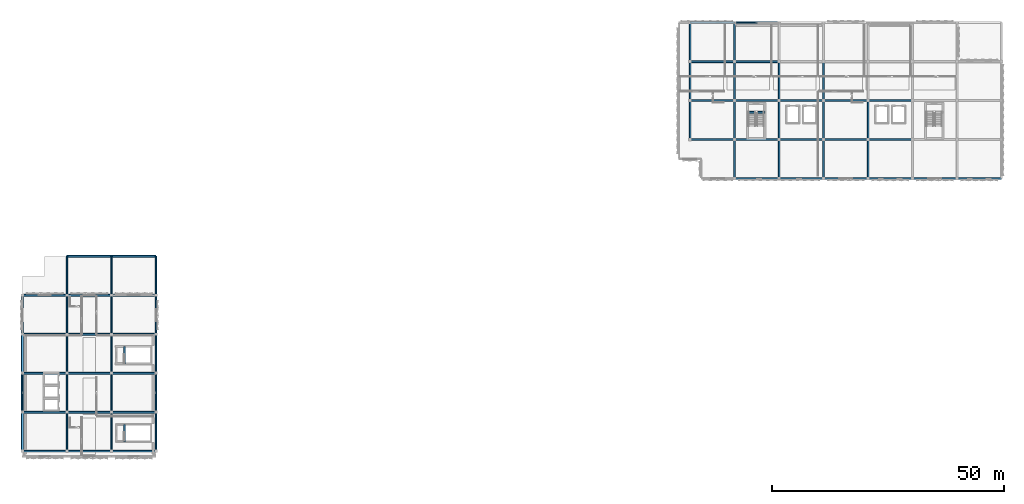
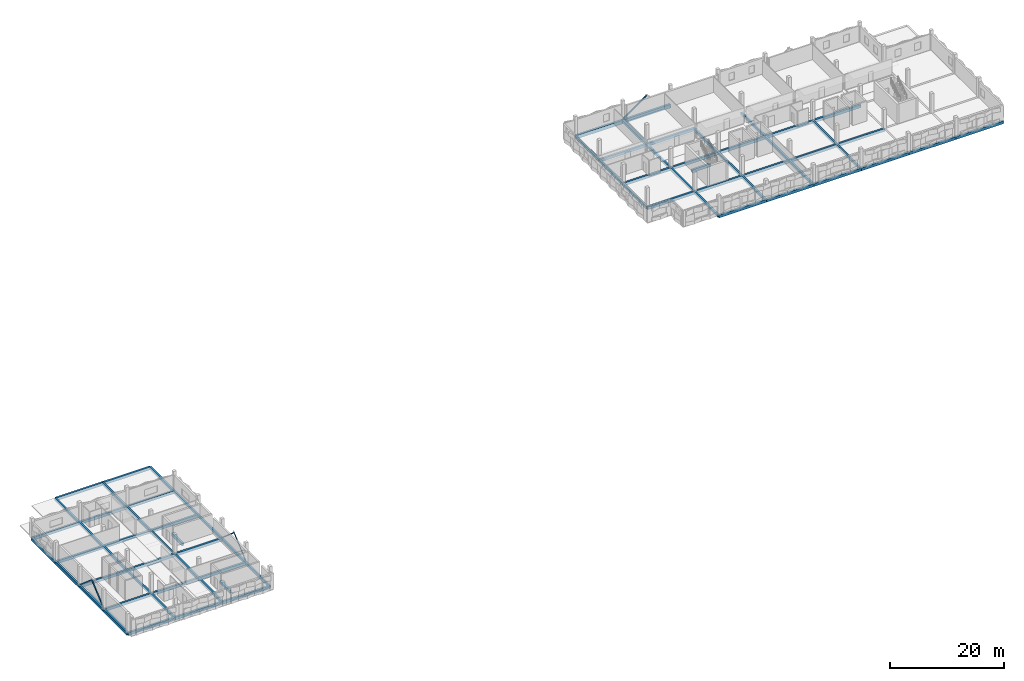
# One storey, part 3 of 18: 74 beams, 5 members.
"""IFC4 building model written with IfcOpenShell, lengths in metres."""

import ifcopenshell
import ifcopenshell.guid

model = None  # the IFC model being written
_history = None  # IfcOwnerHistory: only IFC2X3 demands one
_inside = {}  # id of a spatial element -> (the spatial element, [elements in it])
_under = {}  # id of a project, library or spatial element -> (it, [spatial elements below it])
_declared = {}  # id of a project -> (the project, [libraries it declares])
_typed = {}  # id of a type object -> (the type object, [elements of that type])
_made_of = {}  # id of a material, layer set ... -> (it, [elements and type objects made of it])


def new_model(schema):
    """Start an empty IFC model of exactly this schema.

    Asked for "IFC4X3", IfcOpenShell would pick the latest addendum, in which some entities
    have other attributes; the version numbers below select the first issue.
    IFC2X3 requires an IfcOwnerHistory on every rooted entity: one is made here for all.
    """
    global model, _history
    if schema == "IFC4X3":
        model = ifcopenshell.file(schema_version=(4, 3, 0, 0))
    else:
        model = ifcopenshell.file(schema=schema)
    _inside.clear()
    _under.clear()
    _declared.clear()
    _typed.clear()
    _made_of.clear()
    _history = None
    if model.schema == "IFC2X3":
        org = make("IfcOrganization", Name="unknown")
        user = make(
            "IfcPersonAndOrganization",
            ThePerson=make("IfcPerson", FamilyName="unknown"),
            TheOrganization=org,
        )
        app = make(
            "IfcApplication",
            ApplicationDeveloper=org,
            Version="unknown",
            ApplicationFullName="unknown",
            ApplicationIdentifier="unknown",
        )
        _history = make(
            "IfcOwnerHistory",
            OwningUser=user,
            OwningApplication=app,
            ChangeAction="ADDED",
            CreationDate=0,
        )
    return model


def make(cls, **values):
    """One entity of the class cls with the attributes given. An attribute that is None is left unset."""
    return model.create_entity(
        cls, **{name: value for name, value in values.items() if value is not None}
    )


def rooted(cls, **values):
    """An entity with a GlobalId (a new one), such as an element, a storey or a relation."""
    return make(cls, GlobalId=ifcopenshell.guid.new(), OwnerHistory=_history, **values)


def si_unit(unit_type, name, prefix=None):
    """IfcSIUnit, for example si_unit("LENGTHUNIT", "METRE", prefix="MILLI")."""
    return make("IfcSIUnit", UnitType=unit_type, Prefix=prefix, Name=name)


def assignment(units):
    """IfcUnitAssignment: the units of a project."""
    return None if units is None else make("IfcUnitAssignment", Units=units)


def point(xyz):
    """IfcCartesianPoint."""
    return None if xyz is None else make("IfcCartesianPoint", Coordinates=xyz)


def direction(xyz):
    """IfcDirection."""
    return None if xyz is None else make("IfcDirection", DirectionRatios=xyz)


def frame(location, z_axis=None, x_axis=None):
    """IfcAxis2Placement3D, a coordinate frame: its origin and axes. An axis left out is left unset."""
    return make(
        "IfcAxis2Placement3D",
        Location=point(location),
        Axis=direction(z_axis),
        RefDirection=direction(x_axis),
    )


def frame_2d(location, x_axis=None):
    """IfcAxis2Placement2D, a coordinate frame in the plane: its origin and x axis."""
    return make(
        "IfcAxis2Placement2D", Location=point(location), RefDirection=direction(x_axis)
    )


def origin():
    """The frame at (0, 0, 0) with its axes left unset."""
    return frame((0.0, 0.0, 0.0))


def origin_2d():
    """The frame at (0, 0) in the plane with its x axis left unset."""
    return frame_2d((0.0, 0.0))


def place(relative_to, where):
    """IfcLocalPlacement: puts the frame where relative to a parent placement (None: the world)."""
    return make(
        "IfcLocalPlacement", PlacementRelTo=relative_to, RelativePlacement=where
    )


def context(
    kind, dimensions, precision=None, world=None, true_north=None, identifier=None
):
    """IfcGeometricRepresentationContext, for example the 3D "Model" context."""
    return make(
        "IfcGeometricRepresentationContext",
        ContextIdentifier=identifier,
        ContextType=kind,
        CoordinateSpaceDimension=dimensions,
        Precision=precision,
        WorldCoordinateSystem=world,
        TrueNorth=true_north,
    )


def subcontext(parent, identifier, kind, view, scale=None):
    """IfcGeometricRepresentationSubContext, for example "Body" below "Model"."""
    return make(
        "IfcGeometricRepresentationSubContext",
        ContextIdentifier=identifier,
        ContextType=kind,
        ParentContext=parent,
        TargetScale=scale,
        TargetView=view,
    )


def project(units=None, contexts=None):
    """IfcProject with its units and contexts."""
    return rooted(
        "IfcProject",
        Name="project",
        RepresentationContexts=contexts,
        UnitsInContext=assignment(units),
    )


def spatial(cls, under=None, at=None, **own):
    """A site, building, storey or space (cls), placed at a placement, below another one or the project."""
    s = rooted(cls, ObjectPlacement=at, **own)
    if under is not None:
        _under.setdefault(under.id(), (under, []))[1].append(s)
    return s


def profile(cls, at=None, kind="AREA", **sizes):
    """A parametric profile (cls). Its sizes go by their IFC names, for example OverallWidth=200.0."""
    return make(cls, ProfileType=kind, Position=at, **sizes)


def rectangle(**sizes):
    """IfcRectangleProfileDef."""
    return profile("IfcRectangleProfileDef", **sizes)


def hollow_rectangle(**sizes):
    """IfcRectangleHollowProfileDef."""
    return profile("IfcRectangleHollowProfileDef", **sizes)


def extrude(swept, where, along, depth):
    """IfcExtrudedAreaSolid: the profile swept, set in the frame where, extruded along a direction by depth."""
    return make(
        "IfcExtrudedAreaSolid",
        SweptArea=swept,
        Position=where,
        ExtrudedDirection=direction(along),
        Depth=depth,
    )


def shape(context_of_items, identifier, shape_type, items):
    """IfcShapeRepresentation: the items that make up one representation, for example the "Body"."""
    return make(
        "IfcShapeRepresentation",
        ContextOfItems=context_of_items,
        RepresentationIdentifier=identifier,
        RepresentationType=shape_type,
        Items=items,
    )


def material(Name=None, Category=None):
    """IfcMaterial."""
    return make("IfcMaterial", Name=Name, Category=Category)


def material_profile(
    of_material, cross_section, Name=None, Category=None, Priority=None
):
    """IfcMaterialProfile: a cross section and its material."""
    return make(
        "IfcMaterialProfile",
        Name=Name,
        Material=of_material,
        Profile=cross_section,
        Priority=Priority,
        Category=Category,
    )


def profile_set(profiles, Name=None, composite=None):
    """IfcMaterialProfileSet."""
    return make(
        "IfcMaterialProfileSet",
        Name=Name,
        MaterialProfiles=profiles,
        CompositeProfile=composite,
    )


def made_of(thing, what):
    """Note that an element or type object is made of a material, layer set ...; save() writes the relation."""
    if what is not None:
        _made_of.setdefault(what.id(), (what, []))[1].append(thing)
    return thing


def type_object(cls, material=None, **own):
    """A type object (cls), such as IfcWallType, which elements share."""
    return made_of(rooted(cls, **own), material)


def element(
    cls,
    number,
    at=None,
    inside=None,
    cuts=None,
    type_object=None,
    material=None,
    context=None,
    identifier="Body",
    shape_type=None,
    held_by="IfcProductDefinitionShape",
    body=None,
    shapes=None,
    **own,
):
    """One element of the class cls, such as IfcWall. Its Tag is "e" and its number.

    at: its placement. inside: the storey or other place that contains it. cuts: it is an
    opening in that element (IfcRelVoidsElement). A single representation is given by context,
    identifier, shape_type and body (its items); several are given by shapes. held_by: the class
    of the entity that holds the representations. save() writes the other relations.
    """
    e = rooted(cls, Tag="e%d" % number, ObjectPlacement=at, **own)
    if body is not None:
        shapes = [shape(context, identifier, shape_type, body)]
    if shapes is not None:
        e.Representation = make(held_by, Representations=shapes)
    if inside is not None:
        _inside.setdefault(inside.id(), (inside, []))[1].append(e)
    if cuts is not None:
        rooted(
            "IfcRelVoidsElement", RelatingBuildingElement=cuts, RelatedOpeningElement=e
        )
    if type_object is not None:
        _typed.setdefault(type_object.id(), (type_object, []))[1].append(e)
    return made_of(e, material)


def aggregate(whole, parts):
    """IfcRelAggregates: a whole, such as a stair, and the parts it consists of."""
    return rooted("IfcRelAggregates", RelatingObject=whole, RelatedObjects=parts)


def save(model, path):
    """Write the relations noted so far, then the file.

    IfcRelAggregates (storeys below a building ...), IfcRelContainedInSpatialStructure (elements
    in a storey), IfcRelDefinesByType, IfcRelAssociatesMaterial and IfcRelDeclares: one each for
    every whole, place, type object, material and project.
    """
    for whole, parts in _under.values():
        aggregate(whole, parts)
    for where, things in _inside.values():
        rooted(
            "IfcRelContainedInSpatialStructure",
            RelatedElements=things,
            RelatingStructure=where,
        )
    for kind, things in _typed.values():
        rooted("IfcRelDefinesByType", RelatedObjects=things, RelatingType=kind)
    for what, things in _made_of.values():
        rooted("IfcRelAssociatesMaterial", RelatedObjects=things, RelatingMaterial=what)
    for by, libraries in _declared.values():
        rooted("IfcRelDeclares", RelatingContext=by, RelatedDefinitions=libraries)
    model.write(path)


model = new_model("IFC4")

# Units and contexts
model_context = context("Model", 3, precision=1e-05, world=origin(), true_north=direction((0.0, 1.0)))
body_context = subcontext(model_context, "Body", "Model", "MODEL_VIEW")
ifc_project = project(units=[si_unit("LENGTHUNIT", "METRE"), si_unit("AREAUNIT", "SQUARE_METRE"), si_unit("VOLUMEUNIT", "CUBIC_METRE"), si_unit("PLANEANGLEUNIT", "RADIAN"), si_unit("MASSUNIT", "GRAM", prefix="KILO")], contexts=[model_context])

# Site, building, storey
site_placement = place(None, origin())
site = spatial("IfcSite", under=ifc_project, at=site_placement, CompositionType="ELEMENT")
building_placement = place(site_placement, origin())
building = spatial("IfcBuilding", under=site, at=building_placement, Name="Oolite Switchyard Hospital", CompositionType="ELEMENT")
storey_placement = place(building_placement, frame((0.0, 0.0, 26.199951171875)))
storey = spatial("IfcBuildingStorey", under=building, at=storey_placement, Name="L06", CompositionType="ELEMENT", Elevation=26.199951171875)

# Beams
ifc_material_1 = material(Name="Concrete C40/50", Category="concrete")
ifc_material_profile_1 = material_profile(ifc_material_1, rectangle(XDim=0.35009765625, YDim=0.550048828125, at=origin_2d()), Name="RCB350X550")
ifc_profile_set_1 = profile_set([ifc_material_profile_1], Name="Concrete C40/50")
beam_type_1 = type_object("IfcBeamType", Name="BM-RC350X550", PredefinedType="BEAM", material=ifc_profile_set_1)
beam_1_placement = place(storey_placement, frame((9.60009765625, 42.0, -0.27490234375), z_axis=(0.0, 1.0, 0.0), x_axis=(-1.0, 0.0, 0.0)))
element("IfcBeam", 1, at=beam_1_placement, inside=storey, type_object=beam_type_1, Name="L06 Y-Girder 3802", PredefinedType="BEAM", context=body_context, shape_type="SweptSolid", body=[
    extrude(rectangle(XDim=0.35009765625, YDim=0.550048828125, at=origin_2d()), origin(), (0.0, 0.0, 1.0), 8.39990234375),
])
beam_2_placement = place(storey_placement, frame((9.60009765625, 50.39990234375, -0.27490234375), z_axis=(0.0, 1.0, 0.0), x_axis=(-1.0, 0.0, 0.0)))
element("IfcBeam", 2, at=beam_2_placement, inside=storey, type_object=beam_type_1, Name="L06 Y-Girder 3803", PredefinedType="BEAM", context=body_context, shape_type="SweptSolid", body=[
    extrude(rectangle(XDim=0.35009765625, YDim=0.550048828125, at=origin_2d()), origin(), (0.0, 0.0, 1.0), 8.400146484375),
])
beam_3_placement = place(storey_placement, frame((9.60009765625, 58.800048828125, -0.27490234375), z_axis=(0.0, 1.0, 0.0), x_axis=(-1.0, 0.0, 0.0)))
element("IfcBeam", 3, at=beam_3_placement, inside=storey, type_object=beam_type_1, Name="L06 Y-Girder 3804", PredefinedType="BEAM", context=body_context, shape_type="SweptSolid", body=[
    extrude(rectangle(XDim=0.35009765625, YDim=0.550048828125, at=origin_2d()), origin(), (0.0, 0.0, 1.0), 8.39990234375),
])
beam_4_placement = place(storey_placement, frame((9.60009765625, 67.199951171875, -0.27490234375), z_axis=(0.0, 1.0, 0.0), x_axis=(-1.0, 0.0, 0.0)))
element("IfcBeam", 4, at=beam_4_placement, inside=storey, type_object=beam_type_1, Name="L06 Y-Girder 3805", PredefinedType="BEAM", context=body_context, shape_type="SweptSolid", body=[
    extrude(rectangle(XDim=0.35009765625, YDim=0.550048828125, at=origin_2d()), origin(), (0.0, 0.0, 1.0), 8.400146484375),
])
for number, where, z_axis, x_axis, name in (
    (5, (9.60009765625, 75.60009765625, -0.27490234375), (0.0, 1.0, 0.0), (-1.0, 0.0, 0.0), "L06 Y-Girder 3806"),
    (6, (19.199951171875, 42.0, -0.27490234375), (0.0, 1.0, 0.0), (-1.0, 0.0, 0.0), "L06 Y-Girder 3807"),
):
    element("IfcBeam", number, at=place(storey_placement, frame(where, z_axis=z_axis, x_axis=x_axis)), inside=storey, type_object=beam_type_1, Name=name, PredefinedType="BEAM", context=body_context, shape_type="SweptSolid", body=[
        extrude(rectangle(XDim=0.35009765625, YDim=0.550048828125, at=origin_2d()), origin(), (0.0, 0.0, 1.0), 8.39990234375),
    ])
beam_5_placement = place(storey_placement, frame((19.199951171875, 50.39990234375, -0.27490234375), z_axis=(0.0, 1.0, 0.0), x_axis=(-1.0, 0.0, 0.0)))
element("IfcBeam", 7, at=beam_5_placement, inside=storey, type_object=beam_type_1, Name="L06 Y-Girder 3808", PredefinedType="BEAM", context=body_context, shape_type="SweptSolid", body=[
    extrude(rectangle(XDim=0.35009765625, YDim=0.550048828125, at=origin_2d()), origin(), (0.0, 0.0, 1.0), 8.400146484375),
])
beam_6_placement = place(storey_placement, frame((19.199951171875, 58.800048828125, -0.27490234375), z_axis=(0.0, 1.0, 0.0), x_axis=(-1.0, 0.0, 0.0)))
element("IfcBeam", 8, at=beam_6_placement, inside=storey, type_object=beam_type_1, Name="L06 Y-Girder 3809", PredefinedType="BEAM", context=body_context, shape_type="SweptSolid", body=[
    extrude(rectangle(XDim=0.35009765625, YDim=0.550048828125, at=origin_2d()), origin(), (0.0, 0.0, 1.0), 8.39990234375),
])
beam_7_placement = place(storey_placement, frame((19.199951171875, 67.199951171875, -0.27490234375), z_axis=(0.0, 1.0, 0.0), x_axis=(-1.0, 0.0, 0.0)))
element("IfcBeam", 9, at=beam_7_placement, inside=storey, type_object=beam_type_1, Name="L06 Y-Girder 3810", PredefinedType="BEAM", context=body_context, shape_type="SweptSolid", body=[
    extrude(rectangle(XDim=0.35009765625, YDim=0.550048828125, at=origin_2d()), origin(), (0.0, 0.0, 1.0), 8.400146484375),
])
for number, where, z_axis, x_axis, name in (
    (10, (19.199951171875, 75.60009765625, -0.27490234375), (0.0, 1.0, 0.0), (-1.0, 0.0, 0.0), "L06 Y-Girder 3811"),
    (11, (28.800048828125, 42.0, -0.27490234375), (0.0, 1.0, 0.0), (-1.0, 0.0, 0.0), "L06 Y-Girder 3812"),
):
    element("IfcBeam", number, at=place(storey_placement, frame(where, z_axis=z_axis, x_axis=x_axis)), inside=storey, type_object=beam_type_1, Name=name, PredefinedType="BEAM", context=body_context, shape_type="SweptSolid", body=[
        extrude(rectangle(XDim=0.35009765625, YDim=0.550048828125, at=origin_2d()), origin(), (0.0, 0.0, 1.0), 8.39990234375),
    ])
beam_8_placement = place(storey_placement, frame((28.800048828125, 50.39990234375, -0.27490234375), z_axis=(0.0, 1.0, 0.0), x_axis=(-1.0, 0.0, 0.0)))
element("IfcBeam", 12, at=beam_8_placement, inside=storey, type_object=beam_type_1, Name="L06 Y-Girder 3813", PredefinedType="BEAM", context=body_context, shape_type="SweptSolid", body=[
    extrude(rectangle(XDim=0.35009765625, YDim=0.550048828125, at=origin_2d()), origin(), (0.0, 0.0, 1.0), 8.400146484375),
])
beam_9_placement = place(storey_placement, frame((28.800048828125, 58.800048828125, -0.27490234375), z_axis=(0.0, 1.0, 0.0), x_axis=(-1.0, 0.0, 0.0)))
element("IfcBeam", 13, at=beam_9_placement, inside=storey, type_object=beam_type_1, Name="L06 Y-Girder 3814", PredefinedType="BEAM", context=body_context, shape_type="SweptSolid", body=[
    extrude(rectangle(XDim=0.35009765625, YDim=0.550048828125, at=origin_2d()), origin(), (0.0, 0.0, 1.0), 8.39990234375),
])
beam_10_placement = place(storey_placement, frame((28.800048828125, 67.199951171875, -0.27490234375), z_axis=(0.0, 1.0, 0.0), x_axis=(-1.0, 0.0, 0.0)))
element("IfcBeam", 14, at=beam_10_placement, inside=storey, type_object=beam_type_1, Name="L06 Y-Girder 3815", PredefinedType="BEAM", context=body_context, shape_type="SweptSolid", body=[
    extrude(rectangle(XDim=0.35009765625, YDim=0.550048828125, at=origin_2d()), origin(), (0.0, 0.0, 1.0), 8.400146484375),
])
beam_11_placement = place(storey_placement, frame((28.800048828125, 75.60009765625, -0.27490234375), z_axis=(0.0, 1.0, 0.0), x_axis=(-1.0, 0.0, 0.0)))
element("IfcBeam", 15, at=beam_11_placement, inside=storey, type_object=beam_type_1, Name="L06 Y-Girder 3816", PredefinedType="BEAM", context=body_context, shape_type="SweptSolid", body=[
    extrude(rectangle(XDim=0.35009765625, YDim=0.550048828125, at=origin_2d()), origin(), (0.0, 0.0, 1.0), 8.39990234375),
])
beam_12_placement = place(storey_placement, frame((144.0, 109.199951171875, -0.27490234375), z_axis=(0.0, 1.0, 0.0), x_axis=(-1.0, 0.0, 0.0)))
element("IfcBeam", 16, at=beam_12_placement, inside=storey, type_object=beam_type_1, Name="L06 Y-Girder 3817", PredefinedType="BEAM", context=body_context, shape_type="SweptSolid", body=[
    extrude(rectangle(XDim=0.35009765625, YDim=0.550048828125, at=origin_2d()), origin(), (0.0, 0.0, 1.0), 8.400146484375),
])
for number, where, z_axis, x_axis, name in (
    (17, (144.0, 117.60009765625, -0.27490234375), (0.0, 1.0, 0.0), (-1.0, 0.0, 0.0), "L06 Y-Girder 3818"),
    (18, (144.0, 126.0, -0.27490234375), (0.0, 1.0, 0.0), (-1.0, 0.0, 0.0), "L06 Y-Girder 3819"),
    (19, (153.60009765625, 100.800048828125, -0.27490234375), (0.0, 1.0, 0.0), (-1.0, 0.0, 0.0), "L06 Y-Girder 3820"),
):
    element("IfcBeam", number, at=place(storey_placement, frame(where, z_axis=z_axis, x_axis=x_axis)), inside=storey, type_object=beam_type_1, Name=name, PredefinedType="BEAM", context=body_context, shape_type="SweptSolid", body=[
        extrude(rectangle(XDim=0.35009765625, YDim=0.550048828125, at=origin_2d()), origin(), (0.0, 0.0, 1.0), 8.39990234375),
    ])
beam_13_placement = place(storey_placement, frame((153.60009765625, 109.199951171875, -0.27490234375), z_axis=(0.0, 1.0, 0.0), x_axis=(-1.0, 0.0, 0.0)))
element("IfcBeam", 20, at=beam_13_placement, inside=storey, type_object=beam_type_1, Name="L06 Y-Girder 3821", PredefinedType="BEAM", context=body_context, shape_type="SweptSolid", body=[
    extrude(rectangle(XDim=0.35009765625, YDim=0.550048828125, at=origin_2d()), origin(), (0.0, 0.0, 1.0), 8.400146484375),
])
for number, where, z_axis, x_axis, name in (
    (21, (153.60009765625, 117.60009765625, -0.27490234375), (0.0, 1.0, 0.0), (-1.0, 0.0, 0.0), "L06 Y-Girder 3822"),
    (22, (153.60009765625, 126.0, -0.27490234375), (0.0, 1.0, 0.0), (-1.0, 0.0, 0.0), "L06 Y-Girder 3823"),
    (23, (163.199951171875, 100.800048828125, -0.27490234375), (0.0, 1.0, 0.0), (-1.0, 0.0, 0.0), "L06 Y-Girder 3824"),
):
    element("IfcBeam", number, at=place(storey_placement, frame(where, z_axis=z_axis, x_axis=x_axis)), inside=storey, type_object=beam_type_1, Name=name, PredefinedType="BEAM", context=body_context, shape_type="SweptSolid", body=[
        extrude(rectangle(XDim=0.35009765625, YDim=0.550048828125, at=origin_2d()), origin(), (0.0, 0.0, 1.0), 8.39990234375),
    ])
beam_14_placement = place(storey_placement, frame((163.199951171875, 109.199951171875, -0.27490234375), z_axis=(0.0, 1.0, 0.0), x_axis=(-1.0, 0.0, 0.0)))
element("IfcBeam", 24, at=beam_14_placement, inside=storey, type_object=beam_type_1, Name="L06 Y-Girder 3825", PredefinedType="BEAM", context=body_context, shape_type="SweptSolid", body=[
    extrude(rectangle(XDim=0.35009765625, YDim=0.550048828125, at=origin_2d()), origin(), (0.0, 0.0, 1.0), 8.400146484375),
])
for number, where, z_axis, x_axis, name in (
    (25, (163.199951171875, 117.60009765625, -0.27490234375), (0.0, 1.0, 0.0), (-1.0, 0.0, 0.0), "L06 Y-Girder 3826"),
    (26, (172.800048828125, 100.800048828125, -0.27490234375), (0.0, 1.0, 0.0), (-1.0, 0.0, 0.0), "L06 Y-Girder 3828"),
):
    element("IfcBeam", number, at=place(storey_placement, frame(where, z_axis=z_axis, x_axis=x_axis)), inside=storey, type_object=beam_type_1, Name=name, PredefinedType="BEAM", context=body_context, shape_type="SweptSolid", body=[
        extrude(rectangle(XDim=0.35009765625, YDim=0.550048828125, at=origin_2d()), origin(), (0.0, 0.0, 1.0), 8.39990234375),
    ])
beam_15_placement = place(storey_placement, frame((172.800048828125, 109.199951171875, -0.27490234375), z_axis=(0.0, 1.0, 0.0), x_axis=(-1.0, 0.0, 0.0)))
element("IfcBeam", 27, at=beam_15_placement, inside=storey, type_object=beam_type_1, Name="L06 Y-Girder 3829", PredefinedType="BEAM", context=body_context, shape_type="SweptSolid", body=[
    extrude(rectangle(XDim=0.35009765625, YDim=0.550048828125, at=origin_2d()), origin(), (0.0, 0.0, 1.0), 8.400146484375),
])
for number, where, z_axis, x_axis, name in (
    (28, (172.800048828125, 117.60009765625, -0.27490234375), (0.0, 1.0, 0.0), (-1.0, 0.0, 0.0), "L06 Y-Girder 3830"),
    (29, (182.39990234375, 100.800048828125, -0.27490234375), (0.0, 1.0, 0.0), (-1.0, 0.0, 0.0), "L06 Y-Girder 3832"),
):
    element("IfcBeam", number, at=place(storey_placement, frame(where, z_axis=z_axis, x_axis=x_axis)), inside=storey, type_object=beam_type_1, Name=name, PredefinedType="BEAM", context=body_context, shape_type="SweptSolid", body=[
        extrude(rectangle(XDim=0.35009765625, YDim=0.550048828125, at=origin_2d()), origin(), (0.0, 0.0, 1.0), 8.39990234375),
    ])
beam_16_placement = place(storey_placement, frame((182.39990234375, 109.199951171875, -0.27490234375), z_axis=(0.0, 1.0, 0.0), x_axis=(-1.0, 0.0, 0.0)))
element("IfcBeam", 30, at=beam_16_placement, inside=storey, type_object=beam_type_1, Name="L06 Y-Girder 3833", PredefinedType="BEAM", context=body_context, shape_type="SweptSolid", body=[
    extrude(rectangle(XDim=0.35009765625, YDim=0.550048828125, at=origin_2d()), origin(), (0.0, 0.0, 1.0), 8.400146484375),
])
ifc_material_profile_2 = material_profile(ifc_material_1, rectangle(XDim=0.39990234375, YDim=0.60009765625, at=origin_2d()), Name="RCB400X600")
ifc_profile_set_2 = profile_set([ifc_material_profile_2], Name="Concrete C40/50")
beam_type_2 = type_object("IfcBeamType", Name="BM-RC400X600", PredefinedType="BEAM", material=ifc_profile_set_2)
beam_17_placement = place(storey_placement, frame((0.0, 42.0, -0.300048828125), z_axis=(1.0, 0.0, 0.0), x_axis=(0.0, 1.0, 0.0)))
element("IfcBeam", 31, at=beam_17_placement, inside=storey, type_object=beam_type_2, Name="L06 X-Girder 3747", PredefinedType="BEAM", context=body_context, shape_type="SweptSolid", body=[
    extrude(rectangle(XDim=0.39990234375, YDim=0.60009765625, at=origin_2d()), origin(), (0.0, 0.0, 1.0), 9.60009765625),
])
beam_18_placement = place(storey_placement, frame((9.60009765625, 42.0, -0.300048828125), z_axis=(1.0, 0.0, 0.0), x_axis=(0.0, 1.0, 0.0)))
element("IfcBeam", 32, at=beam_18_placement, inside=storey, type_object=beam_type_2, Name="L06 X-Girder 3748", PredefinedType="BEAM", context=body_context, shape_type="SweptSolid", body=[
    extrude(rectangle(XDim=0.39990234375, YDim=0.60009765625, at=origin_2d()), origin(), (0.0, 0.0, 1.0), 9.599853515625),
])
for number, where, z_axis, x_axis, name in (
    (33, (19.199951171875, 42.0, -0.300048828125), (1.0, 0.0, 0.0), (0.0, 1.0, 0.0), "L06 X-Girder 3749"),
    (34, (0.0, 50.39990234375, -0.300048828125), (1.0, 0.0, 0.0), (0.0, 1.0, 0.0), "L06 X-Girder 3750"),
):
    element("IfcBeam", number, at=place(storey_placement, frame(where, z_axis=z_axis, x_axis=x_axis)), inside=storey, type_object=beam_type_2, Name=name, PredefinedType="BEAM", context=body_context, shape_type="SweptSolid", body=[
        extrude(rectangle(XDim=0.39990234375, YDim=0.60009765625, at=origin_2d()), origin(), (0.0, 0.0, 1.0), 9.60009765625),
    ])
beam_19_placement = place(storey_placement, frame((9.60009765625, 50.39990234375, -0.300048828125), z_axis=(1.0, 0.0, 0.0), x_axis=(0.0, 1.0, 0.0)))
element("IfcBeam", 35, at=beam_19_placement, inside=storey, type_object=beam_type_2, Name="L06 X-Girder 3751", PredefinedType="BEAM", context=body_context, shape_type="SweptSolid", body=[
    extrude(rectangle(XDim=0.39990234375, YDim=0.60009765625, at=origin_2d()), origin(), (0.0, 0.0, 1.0), 9.599853515625),
])
for number, where, z_axis, x_axis, name in (
    (36, (19.199951171875, 50.39990234375, -0.300048828125), (1.0, 0.0, 0.0), (0.0, 1.0, 0.0), "L06 X-Girder 3752"),
    (37, (0.0, 58.800048828125, -0.300048828125), (1.0, 0.0, 0.0), (0.0, 1.0, 0.0), "L06 X-Girder 3753"),
):
    element("IfcBeam", number, at=place(storey_placement, frame(where, z_axis=z_axis, x_axis=x_axis)), inside=storey, type_object=beam_type_2, Name=name, PredefinedType="BEAM", context=body_context, shape_type="SweptSolid", body=[
        extrude(rectangle(XDim=0.39990234375, YDim=0.60009765625, at=origin_2d()), origin(), (0.0, 0.0, 1.0), 9.60009765625),
    ])
beam_20_placement = place(storey_placement, frame((9.60009765625, 58.800048828125, -0.300048828125), z_axis=(1.0, 0.0, 0.0), x_axis=(0.0, 1.0, 0.0)))
element("IfcBeam", 38, at=beam_20_placement, inside=storey, type_object=beam_type_2, Name="L06 X-Girder 3754", PredefinedType="BEAM", context=body_context, shape_type="SweptSolid", body=[
    extrude(rectangle(XDim=0.39990234375, YDim=0.60009765625, at=origin_2d()), origin(), (0.0, 0.0, 1.0), 9.599853515625),
])
for number, where, z_axis, x_axis, name in (
    (39, (19.199951171875, 58.800048828125, -0.300048828125), (1.0, 0.0, 0.0), (0.0, 1.0, 0.0), "L06 X-Girder 3755"),
    (40, (0.0, 67.199951171875, -0.300048828125), (1.0, 0.0, 0.0), (0.0, 1.0, 0.0), "L06 X-Girder 3756"),
):
    element("IfcBeam", number, at=place(storey_placement, frame(where, z_axis=z_axis, x_axis=x_axis)), inside=storey, type_object=beam_type_2, Name=name, PredefinedType="BEAM", context=body_context, shape_type="SweptSolid", body=[
        extrude(rectangle(XDim=0.39990234375, YDim=0.60009765625, at=origin_2d()), origin(), (0.0, 0.0, 1.0), 9.60009765625),
    ])
beam_21_placement = place(storey_placement, frame((9.60009765625, 67.199951171875, -0.300048828125), z_axis=(1.0, 0.0, 0.0), x_axis=(0.0, 1.0, 0.0)))
element("IfcBeam", 41, at=beam_21_placement, inside=storey, type_object=beam_type_2, Name="L06 X-Girder 3757", PredefinedType="BEAM", context=body_context, shape_type="SweptSolid", body=[
    extrude(rectangle(XDim=0.39990234375, YDim=0.60009765625, at=origin_2d()), origin(), (0.0, 0.0, 1.0), 9.599853515625),
])
for number, where, z_axis, x_axis, name in (
    (42, (19.199951171875, 67.199951171875, -0.300048828125), (1.0, 0.0, 0.0), (0.0, 1.0, 0.0), "L06 X-Girder 3758"),
    (43, (0.0, 75.60009765625, -0.300048828125), (1.0, 0.0, 0.0), (0.0, 1.0, 0.0), "L06 X-Girder 3759"),
):
    element("IfcBeam", number, at=place(storey_placement, frame(where, z_axis=z_axis, x_axis=x_axis)), inside=storey, type_object=beam_type_2, Name=name, PredefinedType="BEAM", context=body_context, shape_type="SweptSolid", body=[
        extrude(rectangle(XDim=0.39990234375, YDim=0.60009765625, at=origin_2d()), origin(), (0.0, 0.0, 1.0), 9.60009765625),
    ])
beam_22_placement = place(storey_placement, frame((9.60009765625, 75.60009765625, -0.300048828125), z_axis=(1.0, 0.0, 0.0), x_axis=(0.0, 1.0, 0.0)))
element("IfcBeam", 44, at=beam_22_placement, inside=storey, type_object=beam_type_2, Name="L06 X-Girder 3760", PredefinedType="BEAM", context=body_context, shape_type="SweptSolid", body=[
    extrude(rectangle(XDim=0.39990234375, YDim=0.60009765625, at=origin_2d()), origin(), (0.0, 0.0, 1.0), 9.599853515625),
])
beam_23_placement = place(storey_placement, frame((19.199951171875, 75.60009765625, -0.300048828125), z_axis=(1.0, 0.0, 0.0), x_axis=(0.0, 1.0, 0.0)))
element("IfcBeam", 45, at=beam_23_placement, inside=storey, type_object=beam_type_2, Name="L06 X-Girder 3761", PredefinedType="BEAM", context=body_context, shape_type="SweptSolid", body=[
    extrude(rectangle(XDim=0.39990234375, YDim=0.60009765625, at=origin_2d()), origin(), (0.0, 0.0, 1.0), 9.60009765625),
])
beam_24_placement = place(storey_placement, frame((9.60009765625, 84.0, -0.300048828125), z_axis=(1.0, 0.0, 0.0), x_axis=(0.0, 1.0, 0.0)))
element("IfcBeam", 46, at=beam_24_placement, inside=storey, type_object=beam_type_2, Name="L06 X-Girder 3762", PredefinedType="BEAM", context=body_context, shape_type="SweptSolid", body=[
    extrude(rectangle(XDim=0.39990234375, YDim=0.60009765625, at=origin_2d()), origin(), (0.0, 0.0, 1.0), 9.599853515625),
])
beam_25_placement = place(storey_placement, frame((19.199951171875, 84.0, -0.300048828125), z_axis=(1.0, 0.0, 0.0), x_axis=(0.0, 1.0, 0.0)))
element("IfcBeam", 47, at=beam_25_placement, inside=storey, type_object=beam_type_2, Name="L06 X-Girder 3763", PredefinedType="BEAM", context=body_context, shape_type="SweptSolid", body=[
    extrude(rectangle(XDim=0.39990234375, YDim=0.60009765625, at=origin_2d()), origin(), (0.0, 0.0, 1.0), 9.60009765625),
])
beam_26_placement = place(storey_placement, frame((153.60009765625, 100.800048828125, -0.300048828125), z_axis=(1.0, 0.0, 0.0), x_axis=(0.0, 1.0, 0.0)))
element("IfcBeam", 48, at=beam_26_placement, inside=storey, type_object=beam_type_2, Name="L06 X-Girder 3764", PredefinedType="BEAM", context=body_context, shape_type="SweptSolid", body=[
    extrude(rectangle(XDim=0.39990234375, YDim=0.60009765625, at=origin_2d()), origin(), (0.0, 0.0, 1.0), 9.599853515625),
])
beam_27_placement = place(storey_placement, frame((163.199951171875, 100.800048828125, -0.300048828125), z_axis=(1.0, 0.0, 0.0), x_axis=(0.0, 1.0, 0.0)))
element("IfcBeam", 49, at=beam_27_placement, inside=storey, type_object=beam_type_2, Name="L06 X-Girder 3765", PredefinedType="BEAM", context=body_context, shape_type="SweptSolid", body=[
    extrude(rectangle(XDim=0.39990234375, YDim=0.60009765625, at=origin_2d()), origin(), (0.0, 0.0, 1.0), 9.60009765625),
])
beam_28_placement = place(storey_placement, frame((172.800048828125, 100.800048828125, -0.300048828125), z_axis=(1.0, 0.0, 0.0), x_axis=(0.0, 1.0, 0.0)))
element("IfcBeam", 50, at=beam_28_placement, inside=storey, type_object=beam_type_2, Name="L06 X-Girder 3766", PredefinedType="BEAM", context=body_context, shape_type="SweptSolid", body=[
    extrude(rectangle(XDim=0.39990234375, YDim=0.60009765625, at=origin_2d()), origin(), (0.0, 0.0, 1.0), 9.599853515625),
])
for number, where, z_axis, x_axis, name in (
    (51, (182.39990234375, 100.800048828125, -0.300048828125), (1.0, 0.0, 0.0), (0.0, 1.0, 0.0), "L06 X-Girder 3767"),
    (52, (192.0, 100.800048828125, -0.300048828125), (1.0, 0.0, 0.0), (0.0, 1.0, 0.0), "L06 X-Girder 3768"),
):
    element("IfcBeam", number, at=place(storey_placement, frame(where, z_axis=z_axis, x_axis=x_axis)), inside=storey, type_object=beam_type_2, Name=name, PredefinedType="BEAM", context=body_context, shape_type="SweptSolid", body=[
        extrude(rectangle(XDim=0.39990234375, YDim=0.60009765625, at=origin_2d()), origin(), (0.0, 0.0, 1.0), 9.60009765625),
    ])
beam_29_placement = place(storey_placement, frame((201.60009765625, 100.800048828125, -0.300048828125), z_axis=(1.0, 0.0, 0.0), x_axis=(0.0, 1.0, 0.0)))
element("IfcBeam", 53, at=beam_29_placement, inside=storey, type_object=beam_type_2, Name="L06 X-Girder 3769", PredefinedType="BEAM", context=body_context, shape_type="SweptSolid", body=[
    extrude(rectangle(XDim=0.39990234375, YDim=0.60009765625, at=origin_2d()), origin(), (0.0, 0.0, 1.0), 9.599853515625),
])
beam_30_placement = place(storey_placement, frame((144.0, 109.199951171875, -0.300048828125), z_axis=(1.0, 0.0, 0.0), x_axis=(0.0, 1.0, 0.0)))
element("IfcBeam", 54, at=beam_30_placement, inside=storey, type_object=beam_type_2, Name="L06 X-Girder 3770", PredefinedType="BEAM", context=body_context, shape_type="SweptSolid", body=[
    extrude(rectangle(XDim=0.39990234375, YDim=0.60009765625, at=origin_2d()), origin(), (0.0, 0.0, 1.0), 9.60009765625),
])
beam_31_placement = place(storey_placement, frame((153.60009765625, 109.199951171875, -0.300048828125), z_axis=(1.0, 0.0, 0.0), x_axis=(0.0, 1.0, 0.0)))
element("IfcBeam", 55, at=beam_31_placement, inside=storey, type_object=beam_type_2, Name="L06 X-Girder 3771", PredefinedType="BEAM", context=body_context, shape_type="SweptSolid", body=[
    extrude(rectangle(XDim=0.39990234375, YDim=0.60009765625, at=origin_2d()), origin(), (0.0, 0.0, 1.0), 9.599853515625),
])
beam_32_placement = place(storey_placement, frame((163.199951171875, 109.199951171875, -0.300048828125), z_axis=(1.0, 0.0, 0.0), x_axis=(0.0, 1.0, 0.0)))
element("IfcBeam", 56, at=beam_32_placement, inside=storey, type_object=beam_type_2, Name="L06 X-Girder 3772", PredefinedType="BEAM", context=body_context, shape_type="SweptSolid", body=[
    extrude(rectangle(XDim=0.39990234375, YDim=0.60009765625, at=origin_2d()), origin(), (0.0, 0.0, 1.0), 9.60009765625),
])
beam_33_placement = place(storey_placement, frame((172.800048828125, 109.199951171875, -0.300048828125), z_axis=(1.0, 0.0, 0.0), x_axis=(0.0, 1.0, 0.0)))
element("IfcBeam", 57, at=beam_33_placement, inside=storey, type_object=beam_type_2, Name="L06 X-Girder 3773", PredefinedType="BEAM", context=body_context, shape_type="SweptSolid", body=[
    extrude(rectangle(XDim=0.39990234375, YDim=0.60009765625, at=origin_2d()), origin(), (0.0, 0.0, 1.0), 9.599853515625),
])
for number, where, z_axis, x_axis, name in (
    (58, (182.39990234375, 109.199951171875, -0.300048828125), (1.0, 0.0, 0.0), (0.0, 1.0, 0.0), "L06 X-Girder 3774"),
    (59, (144.0, 117.60009765625, -0.300048828125), (1.0, 0.0, 0.0), (0.0, 1.0, 0.0), "L06 X-Girder 3777"),
):
    element("IfcBeam", number, at=place(storey_placement, frame(where, z_axis=z_axis, x_axis=x_axis)), inside=storey, type_object=beam_type_2, Name=name, PredefinedType="BEAM", context=body_context, shape_type="SweptSolid", body=[
        extrude(rectangle(XDim=0.39990234375, YDim=0.60009765625, at=origin_2d()), origin(), (0.0, 0.0, 1.0), 9.60009765625),
    ])
beam_34_placement = place(storey_placement, frame((153.60009765625, 117.60009765625, -0.300048828125), z_axis=(1.0, 0.0, 0.0), x_axis=(0.0, 1.0, 0.0)))
element("IfcBeam", 60, at=beam_34_placement, inside=storey, type_object=beam_type_2, Name="L06 X-Girder 3778", PredefinedType="BEAM", context=body_context, shape_type="SweptSolid", body=[
    extrude(rectangle(XDim=0.39990234375, YDim=0.60009765625, at=origin_2d()), origin(), (0.0, 0.0, 1.0), 9.599853515625),
])
beam_35_placement = place(storey_placement, frame((163.199951171875, 117.60009765625, -0.300048828125), z_axis=(1.0, 0.0, 0.0), x_axis=(0.0, 1.0, 0.0)))
element("IfcBeam", 61, at=beam_35_placement, inside=storey, type_object=beam_type_2, Name="L06 X-Girder 3779", PredefinedType="BEAM", context=body_context, shape_type="SweptSolid", body=[
    extrude(rectangle(XDim=0.39990234375, YDim=0.60009765625, at=origin_2d()), origin(), (0.0, 0.0, 1.0), 9.60009765625),
])
beam_36_placement = place(storey_placement, frame((172.800048828125, 117.60009765625, -0.300048828125), z_axis=(1.0, 0.0, 0.0), x_axis=(0.0, 1.0, 0.0)))
element("IfcBeam", 62, at=beam_36_placement, inside=storey, type_object=beam_type_2, Name="L06 X-Girder 3780", PredefinedType="BEAM", context=body_context, shape_type="SweptSolid", body=[
    extrude(rectangle(XDim=0.39990234375, YDim=0.60009765625, at=origin_2d()), origin(), (0.0, 0.0, 1.0), 9.599853515625),
])
for number, where, z_axis, x_axis, name in (
    (63, (182.39990234375, 117.60009765625, -0.300048828125), (1.0, 0.0, 0.0), (0.0, 1.0, 0.0), "L06 X-Girder 3781"),
    (64, (144.0, 126.0, -0.300048828125), (1.0, 0.0, 0.0), (0.0, 1.0, 0.0), "L06 X-Girder 3784"),
):
    element("IfcBeam", number, at=place(storey_placement, frame(where, z_axis=z_axis, x_axis=x_axis)), inside=storey, type_object=beam_type_2, Name=name, PredefinedType="BEAM", context=body_context, shape_type="SweptSolid", body=[
        extrude(rectangle(XDim=0.39990234375, YDim=0.60009765625, at=origin_2d()), origin(), (0.0, 0.0, 1.0), 9.60009765625),
    ])
beam_37_placement = place(storey_placement, frame((153.60009765625, 126.0, -0.300048828125), z_axis=(1.0, 0.0, 0.0), x_axis=(0.0, 1.0, 0.0)))
element("IfcBeam", 65, at=beam_37_placement, inside=storey, type_object=beam_type_2, Name="L06 X-Girder 3785", PredefinedType="BEAM", context=body_context, shape_type="SweptSolid", body=[
    extrude(rectangle(XDim=0.39990234375, YDim=0.60009765625, at=origin_2d()), origin(), (0.0, 0.0, 1.0), 9.599853515625),
])
beam_38_placement = place(storey_placement, frame((0.0, 42.0, -0.300048828125), z_axis=(0.0, 1.0, 0.0), x_axis=(-1.0, 0.0, 0.0)))
element("IfcBeam", 66, at=beam_38_placement, inside=storey, type_object=beam_type_2, Name="L06 Y-Girder 3798", PredefinedType="BEAM", context=body_context, shape_type="SweptSolid", body=[
    extrude(rectangle(XDim=0.39990234375, YDim=0.60009765625, at=origin_2d()), origin(), (0.0, 0.0, 1.0), 8.39990234375),
])
beam_39_placement = place(storey_placement, frame((0.0, 50.39990234375, -0.300048828125), z_axis=(0.0, 1.0, 0.0), x_axis=(-1.0, 0.0, 0.0)))
element("IfcBeam", 67, at=beam_39_placement, inside=storey, type_object=beam_type_2, Name="L06 Y-Girder 3799", PredefinedType="BEAM", context=body_context, shape_type="SweptSolid", body=[
    extrude(rectangle(XDim=0.39990234375, YDim=0.60009765625, at=origin_2d()), origin(), (0.0, 0.0, 1.0), 8.400146484375),
])
beam_40_placement = place(storey_placement, frame((0.0, 58.800048828125, -0.300048828125), z_axis=(0.0, 1.0, 0.0), x_axis=(-1.0, 0.0, 0.0)))
element("IfcBeam", 68, at=beam_40_placement, inside=storey, type_object=beam_type_2, Name="L06 Y-Girder 3800", PredefinedType="BEAM", context=body_context, shape_type="SweptSolid", body=[
    extrude(rectangle(XDim=0.39990234375, YDim=0.60009765625, at=origin_2d()), origin(), (0.0, 0.0, 1.0), 8.39990234375),
])
beam_41_placement = place(storey_placement, frame((0.0, 67.199951171875, -0.300048828125), z_axis=(0.0, 1.0, 0.0), x_axis=(-1.0, 0.0, 0.0)))
element("IfcBeam", 69, at=beam_41_placement, inside=storey, type_object=beam_type_2, Name="L06 Y-Girder 3801", PredefinedType="BEAM", context=body_context, shape_type="SweptSolid", body=[
    extrude(rectangle(XDim=0.39990234375, YDim=0.60009765625, at=origin_2d()), origin(), (0.0, 0.0, 1.0), 8.400146484375),
])
beam_42_placement = place(storey_placement, frame((22.0400390625, 44.050048828125, -0.300048828125), z_axis=(0.0, 1.0, 0.0), x_axis=(-1.0, 0.0, 0.0)))
element("IfcBeam", 70, at=beam_42_placement, inside=storey, type_object=beam_type_2, Name="L06 ST-01 Stair Throat Trimmer Beam", PredefinedType="BEAM", context=body_context, shape_type="SweptSolid", body=[
    extrude(rectangle(XDim=0.39990234375, YDim=0.60009765625, at=origin_2d()), origin(), (0.0, 0.0, 1.0), 3.659912109375),
])
beam_43_placement = place(storey_placement, frame((22.0400390625, 60.824951171875, -0.300048828125), z_axis=(0.0, 1.0, 0.0), x_axis=(-1.0, 0.0, 0.0)))
element("IfcBeam", 71, at=beam_43_placement, inside=storey, type_object=beam_type_2, Name="L06 ST-02 Stair Throat Trimmer Beam", PredefinedType="BEAM", context=body_context, shape_type="SweptSolid", body=[
    extrude(rectangle(XDim=0.39990234375, YDim=0.60009765625, at=origin_2d()), origin(), (0.0, 0.0, 1.0), 3.7099609375),
])
beam_44_placement = place(storey_placement, frame((156.39990234375, 115.110107421875, -0.300048828125), z_axis=(1.0, 0.0, 0.0), x_axis=(0.0, 1.0, 0.0)))
element("IfcBeam", 72, at=beam_44_placement, inside=storey, type_object=beam_type_2, Name="L06 ST-03 Stair Throat Trimmer Beam", PredefinedType="BEAM", context=body_context, shape_type="SweptSolid", body=[
    extrude(rectangle(XDim=0.39990234375, YDim=0.60009765625, at=origin_2d()), origin(), (0.0, 0.0, 1.0), 3.760009765625),
])
ifc_material_profile_3 = material_profile(ifc_material_1, rectangle(XDim=0.449951171875, YDim=0.75, at=origin_2d()), Name="RCB450X750")
ifc_profile_set_3 = profile_set([ifc_material_profile_3], Name="Concrete C40/50")
beam_type_3 = type_object("IfcBeamType", Name="BM-RC450X750", PredefinedType="BEAM", material=ifc_profile_set_3)
beam_45_placement = place(storey_placement, frame((144.0, 134.39990234375, -0.375), z_axis=(1.0, 0.0, 0.0), x_axis=(0.0, 1.0, 0.0)))
element("IfcBeam", 73, at=beam_45_placement, inside=storey, type_object=beam_type_3, Name="L06 X-Girder 3791", PredefinedType="BEAM", context=body_context, shape_type="SweptSolid", body=[
    extrude(rectangle(XDim=0.449951171875, YDim=0.75, at=origin_2d()), origin(), (0.0, 0.0, 1.0), 9.60009765625),
])
beam_46_placement = place(storey_placement, frame((153.60009765625, 134.39990234375, -0.375), z_axis=(1.0, 0.0, 0.0), x_axis=(0.0, 1.0, 0.0)))
element("IfcBeam", 74, at=beam_46_placement, inside=storey, type_object=beam_type_3, Name="L06 X-Girder 3792", PredefinedType="BEAM", context=body_context, shape_type="SweptSolid", body=[
    extrude(rectangle(XDim=0.449951171875, YDim=0.75, at=origin_2d()), origin(), (0.0, 0.0, 1.0), 9.599853515625),
])

# Members
ifc_material_2 = material(Name="Steel ASTM A500 Grade C", Category="steel")
ifc_material_profile_4 = material_profile(ifc_material_2, hollow_rectangle(XDim=0.152099609375, YDim=0.152099609375, WallThickness=0.010009765625, at=origin_2d()), Name="HSS152X152X10")
ifc_profile_set_4 = profile_set([ifc_material_profile_4], Name="Steel ASTM A500 Grade C")
member_type_1 = type_object("IfcMemberType", Name="MEM-BR-HSS152", PredefinedType="BRACE", material=ifc_profile_set_4)
member_1_placement = place(storey_placement, frame((28.800048828125, 50.39990234375, 0.02001953125), z_axis=(0.0, 0.756583658655, 0.65389690889), x_axis=(-1.0, 0.0, 0.0)))
element("IfcMember", 75, at=member_1_placement, inside=storey, type_object=member_type_1, Name="L06 Chevron Brace 27", PredefinedType="BRACE", context=body_context, shape_type="SweptSolid", body=[
    extrude(hollow_rectangle(XDim=0.152099609375, YDim=0.152099609375, WallThickness=0.010009765625, at=origin_2d()), origin(), (0.0, 0.0, 1.0), 5.551513671875),
])
member_2_placement = place(storey_placement, frame((28.800048828125, 58.800048828125, 0.02001953125), z_axis=(0.0, -0.756564853896, 0.653918666081), x_axis=(1.0, 0.0, 0.0)))
element("IfcMember", 76, at=member_2_placement, inside=storey, type_object=member_type_1, Name="L06 Chevron Brace 28", PredefinedType="BRACE", context=body_context, shape_type="SweptSolid", body=[
    extrude(hollow_rectangle(XDim=0.152099609375, YDim=0.152099609375, WallThickness=0.010009765625, at=origin_2d()), origin(), (0.0, 0.0, 1.0), 5.55126953125),
])
ifc_material_profile_5 = material_profile(ifc_material_2, hollow_rectangle(XDim=0.202880859375, YDim=0.202880859375, WallThickness=0.012939453125, at=origin_2d()), Name="HSS203X203X13")
ifc_profile_set_5 = profile_set([ifc_material_profile_5], Name="Steel ASTM A500 Grade C")
member_type_2 = type_object("IfcMemberType", Name="MEM-BR-HSS203", PredefinedType="BRACE", material=ifc_profile_set_5)
member_3_placement = place(storey_placement, frame((0.0, 50.39990234375, 0.02001953125), z_axis=(0.0, 0.761052324606, 0.6486904957), x_axis=(-1.0, 0.0, 0.0)))
element("IfcMember", 77, at=member_3_placement, inside=storey, type_object=member_type_2, Name="L06 Chevron Brace 13", PredefinedType="BRACE", context=body_context, shape_type="SweptSolid", body=[
    extrude(hollow_rectangle(XDim=0.202880859375, YDim=0.202880859375, WallThickness=0.012939453125, at=origin_2d()), origin(), (0.0, 0.0, 1.0), 5.51904296875),
])
member_4_placement = place(storey_placement, frame((0.0, 58.800048828125, 0.02001953125), z_axis=(0.0, -0.76103370879, 0.648712335389), x_axis=(1.0, 0.0, 0.0)))
element("IfcMember", 78, at=member_4_placement, inside=storey, type_object=member_type_2, Name="L06 Chevron Brace 14", PredefinedType="BRACE", context=body_context, shape_type="SweptSolid", body=[
    extrude(hollow_rectangle(XDim=0.202880859375, YDim=0.202880859375, WallThickness=0.012939453125, at=origin_2d()), origin(), (0.0, 0.0, 1.0), 5.518798828125),
])
ifc_material_profile_6 = material_profile(ifc_material_2, hollow_rectangle(XDim=0.152099609375, YDim=0.25390625, WallThickness=0.012939453125, at=origin_2d()), Name="HSS254X152X13")
ifc_profile_set_6 = profile_set([ifc_material_profile_6], Name="Steel ASTM A500 Grade C")
member_type_3 = type_object("IfcMemberType", Name="MEM-BR-RHS254", PredefinedType="BRACE", material=ifc_profile_set_6)
member_5_placement = place(storey_placement, frame((153.60009765625, 134.39990234375, 0.02001953125), z_axis=(0.81361321594, 0.0, 0.58140651428), x_axis=(0.0, 1.0, 0.0)))
element("IfcMember", 79, at=member_5_placement, inside=storey, type_object=member_type_3, Name="L06 Chevron Brace 41", PredefinedType="BRACE", context=body_context, shape_type="SweptSolid", body=[
    extrude(hollow_rectangle(XDim=0.152099609375, YDim=0.25390625, WallThickness=0.012939453125, at=origin_2d()), origin(), (0.0, 0.0, 1.0), 5.8994140625),
])

save(model, "model.ifc")
